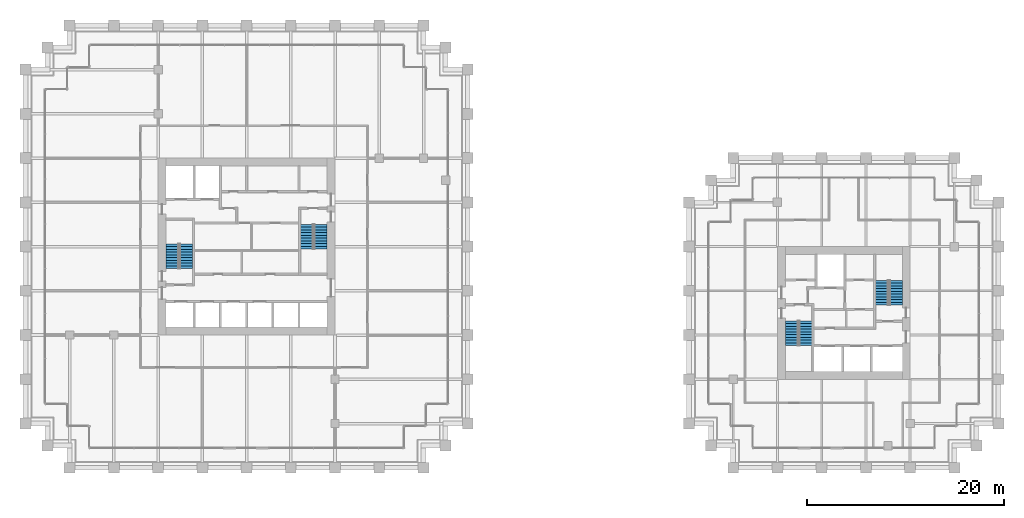
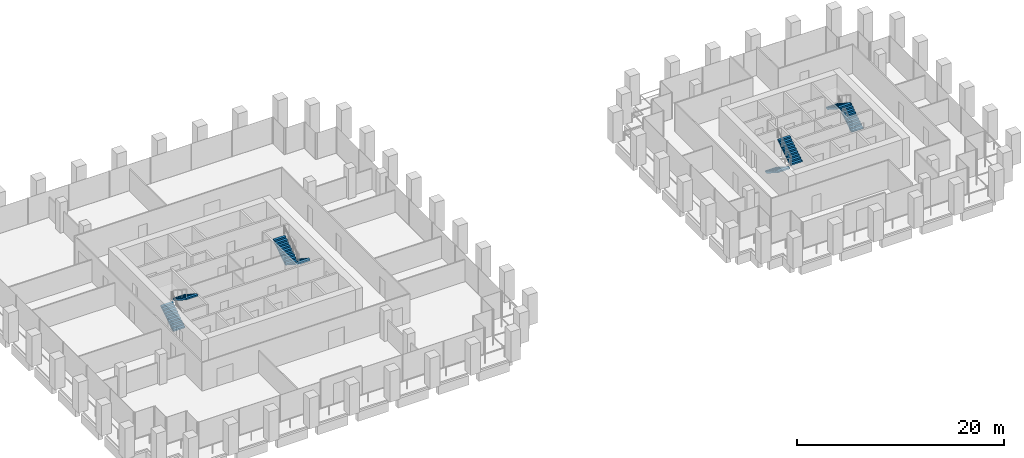
# One storey, part 54 of 56: 8 stair flights, 4 elements without a shape of their own.
"""IFC4 building model written with IfcOpenShell, lengths in metres."""

from ifc_helpers import new_model, si_unit, direction, frame, origin, place, context, subcontext, project, spatial, polyline, outline, extrude, material, type_object, element, aggregate, save


model = new_model("IFC4")

# Units and contexts
model_context = context("Model", 3, precision=1e-05, world=origin(), true_north=direction((0.0, 1.0)))
body_context = subcontext(model_context, "Body", "Model", "MODEL_VIEW")
ifc_project = project(units=[si_unit("LENGTHUNIT", "METRE"), si_unit("AREAUNIT", "SQUARE_METRE"), si_unit("VOLUMEUNIT", "CUBIC_METRE"), si_unit("PLANEANGLEUNIT", "RADIAN"), si_unit("MASSUNIT", "GRAM", prefix="KILO")], contexts=[model_context])

# Site, building, storey
site_placement = place(None, origin())
site = spatial("IfcSite", under=ifc_project, at=site_placement, CompositionType="ELEMENT")
building_placement = place(site_placement, origin())
building = spatial("IfcBuilding", under=site, at=building_placement, Name="Altepetl Exchange Towers", CompositionType="ELEMENT")
storey_placement = place(building_placement, frame((0.0, 0.0, 83.39990234375)))
storey = spatial("IfcBuildingStorey", under=building, at=storey_placement, Name="L20", CompositionType="ELEMENT", Elevation=83.39990234375)

# Stair, stair flights
ifc_material = material(Name="Concrete C40/50", Category="concrete")
stair_type = type_object("IfcStairType", Name="Exit stair 1300 flights dogleg", PredefinedType="HALF_TURN_STAIR", material=ifc_material)
stair_1_placement = place(storey_placement, origin())
stair_1 = element("IfcStair", 1, at=stair_1_placement, inside=storey, type_object=stair_type, Name="Exit stair 1", PredefinedType="HALF_TURN_STAIR")
stair_flight_type = type_object("IfcStairFlightType", Name="Stair flight 1300 wide", PredefinedType="STRAIGHT", material=ifc_material)
stair_flight_1_placement = place(storey_placement, frame((41.949951171875, 47.25, 0.0), z_axis=(0.0, 0.0, 1.0), x_axis=(0.0, 1.0, 0.0)))
stair_flight_1 = element("IfcStairFlight", 2, at=stair_flight_1_placement, type_object=stair_flight_type, Name="ST-A1c flight 1", NumberOfRisers=10, NumberOfTreads=9, PredefinedType="STRAIGHT", RiserHeight=0.18, TreadLength=0.28, context=body_context, shape_type="SweptSolid", body=[
    extrude(outline(polyline([(0.0, 0.0), (0.0, 0.179931640625), (0.280029296875, 0.179931640625), (0.280029296875, 0.360107421875), (0.56005859375, 0.360107421875), (0.56005859375, 0.5400390625), (0.840087890625, 0.5400390625), (0.840087890625, 0.719970703125), (1.1201171875, 0.719970703125), (1.1201171875, 0.89990234375), (1.39990234375, 0.89990234375), (1.39990234375, 1.080078125), (1.679931640625, 1.080078125), (1.679931640625, 1.260009765625), (1.9599609375, 1.260009765625), (1.9599609375, 1.43994140625), (2.239990234375, 1.43994140625), (2.239990234375, 1.6201171875), (2.52001953125, 1.6201171875), (2.52001953125, 1.800048828125), (2.52001953125, 1.44189453125), (0.277099609375, 0.0), (0.0, 0.0)])), frame((0.0, 0.64990234375, 0.0), z_axis=(0.0, -1.0, 0.0), x_axis=(1.0, 0.0, 0.0)), (0.0, 0.0, 1.0), 1.300048828125),
])
stair_flight_2_placement = place(storey_placement, frame((43.35009765625, 49.77001953125, 1.800048828125), z_axis=(0.0, 0.0, 1.0), x_axis=(0.0, -1.0, 0.0)))
stair_flight_2 = element("IfcStairFlight", 3, at=stair_flight_2_placement, type_object=stair_flight_type, Name="ST-A1c flight 2", NumberOfRisers=10, NumberOfTreads=9, PredefinedType="STRAIGHT", RiserHeight=0.18, TreadLength=0.28, context=body_context, shape_type="SweptSolid", body=[
    extrude(outline(polyline([(0.0, 0.0), (0.0, 0.179931640625), (0.280029296875, 0.179931640625), (0.280029296875, 0.360107421875), (0.56005859375, 0.360107421875), (0.56005859375, 0.5400390625), (0.840087890625, 0.5400390625), (0.840087890625, 0.719970703125), (1.1201171875, 0.719970703125), (1.1201171875, 0.89990234375), (1.39990234375, 0.89990234375), (1.39990234375, 1.080078125), (1.679931640625, 1.080078125), (1.679931640625, 1.260009765625), (1.9599609375, 1.260009765625), (1.9599609375, 1.43994140625), (2.239990234375, 1.43994140625), (2.239990234375, 1.6201171875), (2.52001953125, 1.6201171875), (2.52001953125, 1.800048828125), (2.52001953125, 1.44189453125), (0.277099609375, 0.0), (0.0, 0.0)])), frame((0.0, 0.64990234375, 0.0), z_axis=(0.0, -1.0, 0.0), x_axis=(1.0, 0.0, 0.0)), (0.0, 0.0, 1.0), 1.300048828125),
])
aggregate(stair_1, [stair_flight_1, stair_flight_2])

stair_2_placement = place(storey_placement, origin())
stair_2 = element("IfcStair", 4, at=stair_2_placement, inside=storey, type_object=stair_type, Name="Exit stair 2", PredefinedType="HALF_TURN_STAIR")
stair_flight_3_placement = place(storey_placement, frame((57.050048828125, 51.75, 0.0), z_axis=(0.0, 0.0, 1.0), x_axis=(0.0, -1.0, 0.0)))
stair_flight_3 = element("IfcStairFlight", 5, at=stair_flight_3_placement, type_object=stair_flight_type, Name="ST-A2c flight 1", NumberOfRisers=10, NumberOfTreads=9, PredefinedType="STRAIGHT", RiserHeight=0.18, TreadLength=0.28, context=body_context, shape_type="SweptSolid", body=[
    extrude(outline(polyline([(0.0, 0.0), (0.0, 0.179931640625), (0.280029296875, 0.179931640625), (0.280029296875, 0.360107421875), (0.56005859375, 0.360107421875), (0.56005859375, 0.5400390625), (0.840087890625, 0.5400390625), (0.840087890625, 0.719970703125), (1.1201171875, 0.719970703125), (1.1201171875, 0.89990234375), (1.39990234375, 0.89990234375), (1.39990234375, 1.080078125), (1.679931640625, 1.080078125), (1.679931640625, 1.260009765625), (1.9599609375, 1.260009765625), (1.9599609375, 1.43994140625), (2.239990234375, 1.43994140625), (2.239990234375, 1.6201171875), (2.52001953125, 1.6201171875), (2.52001953125, 1.800048828125), (2.52001953125, 1.44189453125), (0.277099609375, 0.0), (0.0, 0.0)])), frame((0.0, 0.64990234375, 0.0), z_axis=(0.0, -1.0, 0.0), x_axis=(1.0, 0.0, 0.0)), (0.0, 0.0, 1.0), 1.300048828125),
])
stair_flight_4_placement = place(storey_placement, frame((55.64990234375, 49.22998046875, 1.800048828125), z_axis=(0.0, 0.0, 1.0), x_axis=(0.0, 1.0, 0.0)))
stair_flight_4 = element("IfcStairFlight", 6, at=stair_flight_4_placement, type_object=stair_flight_type, Name="ST-A2c flight 2", NumberOfRisers=10, NumberOfTreads=9, PredefinedType="STRAIGHT", RiserHeight=0.18, TreadLength=0.28, context=body_context, shape_type="SweptSolid", body=[
    extrude(outline(polyline([(0.0, 0.0), (0.0, 0.179931640625), (0.280029296875, 0.179931640625), (0.280029296875, 0.360107421875), (0.56005859375, 0.360107421875), (0.56005859375, 0.5400390625), (0.840087890625, 0.5400390625), (0.840087890625, 0.719970703125), (1.1201171875, 0.719970703125), (1.1201171875, 0.89990234375), (1.39990234375, 0.89990234375), (1.39990234375, 1.080078125), (1.679931640625, 1.080078125), (1.679931640625, 1.260009765625), (1.9599609375, 1.260009765625), (1.9599609375, 1.43994140625), (2.239990234375, 1.43994140625), (2.239990234375, 1.6201171875), (2.52001953125, 1.6201171875), (2.52001953125, 1.800048828125), (2.52001953125, 1.44189453125), (0.277099609375, 0.0), (0.0, 0.0)])), frame((0.0, 0.64990234375, 0.0), z_axis=(0.0, -1.0, 0.0), x_axis=(1.0, 0.0, 0.0)), (0.0, 0.0, 1.0), 1.300048828125),
])
aggregate(stair_2, [stair_flight_3, stair_flight_4])

stair_3_placement = place(storey_placement, origin())
stair_3 = element("IfcStair", 7, at=stair_3_placement, inside=storey, type_object=stair_type, Name="Exit stair 1", PredefinedType="HALF_TURN_STAIR")
stair_flight_5_placement = place(storey_placement, frame((104.949951171875, 41.949951171875, 0.0), z_axis=(0.0, 0.0, 1.0), x_axis=(0.0, -1.0, 0.0)))
stair_flight_5 = element("IfcStairFlight", 8, at=stair_flight_5_placement, type_object=stair_flight_type, Name="ST-B1c flight 1", NumberOfRisers=10, NumberOfTreads=9, PredefinedType="STRAIGHT", RiserHeight=0.18, TreadLength=0.28, context=body_context, shape_type="SweptSolid", body=[
    extrude(outline(polyline([(0.0, 0.0), (0.0, 0.179931640625), (0.280029296875, 0.179931640625), (0.280029296875, 0.360107421875), (0.56005859375, 0.360107421875), (0.56005859375, 0.5400390625), (0.840087890625, 0.5400390625), (0.840087890625, 0.719970703125), (1.1201171875, 0.719970703125), (1.1201171875, 0.89990234375), (1.39990234375, 0.89990234375), (1.39990234375, 1.080078125), (1.679931640625, 1.080078125), (1.679931640625, 1.260009765625), (1.9599609375, 1.260009765625), (1.9599609375, 1.43994140625), (2.239990234375, 1.43994140625), (2.239990234375, 1.6201171875), (2.52001953125, 1.6201171875), (2.52001953125, 1.800048828125), (2.52001953125, 1.44189453125), (0.277099609375, 0.0), (0.0, 0.0)])), frame((0.0, 0.64990234375, 0.0), z_axis=(0.0, -1.0, 0.0), x_axis=(1.0, 0.0, 0.0)), (0.0, 0.0, 1.0), 1.300048828125),
])
stair_flight_6_placement = place(storey_placement, frame((106.35009765625, 39.429931640625, 1.800048828125), z_axis=(0.0, 0.0, 1.0), x_axis=(0.0, 1.0, 0.0)))
stair_flight_6 = element("IfcStairFlight", 9, at=stair_flight_6_placement, type_object=stair_flight_type, Name="ST-B1c flight 2", NumberOfRisers=10, NumberOfTreads=9, PredefinedType="STRAIGHT", RiserHeight=0.18, TreadLength=0.28, context=body_context, shape_type="SweptSolid", body=[
    extrude(outline(polyline([(0.0, 0.0), (0.0, 0.179931640625), (0.280029296875, 0.179931640625), (0.280029296875, 0.360107421875), (0.56005859375, 0.360107421875), (0.56005859375, 0.5400390625), (0.840087890625, 0.5400390625), (0.840087890625, 0.719970703125), (1.1201171875, 0.719970703125), (1.1201171875, 0.89990234375), (1.39990234375, 0.89990234375), (1.39990234375, 1.080078125), (1.679931640625, 1.080078125), (1.679931640625, 1.260009765625), (1.9599609375, 1.260009765625), (1.9599609375, 1.43994140625), (2.239990234375, 1.43994140625), (2.239990234375, 1.6201171875), (2.52001953125, 1.6201171875), (2.52001953125, 1.800048828125), (2.52001953125, 1.44189453125), (0.277099609375, 0.0), (0.0, 0.0)])), frame((0.0, 0.64990234375, 0.0), z_axis=(0.0, -1.0, 0.0), x_axis=(1.0, 0.0, 0.0)), (0.0, 0.0, 1.0), 1.300048828125),
])
aggregate(stair_3, [stair_flight_5, stair_flight_6])

stair_4_placement = place(storey_placement, origin())
stair_4 = element("IfcStair", 10, at=stair_4_placement, inside=storey, type_object=stair_type, Name="Exit stair 2", PredefinedType="HALF_TURN_STAIR")
stair_flight_7_placement = place(storey_placement, frame((115.550048828125, 43.550048828125, 0.0), z_axis=(0.0, 0.0, 1.0), x_axis=(0.0, 1.0, 0.0)))
stair_flight_7 = element("IfcStairFlight", 11, at=stair_flight_7_placement, type_object=stair_flight_type, Name="ST-B2c flight 1", NumberOfRisers=10, NumberOfTreads=9, PredefinedType="STRAIGHT", RiserHeight=0.18, TreadLength=0.28, context=body_context, shape_type="SweptSolid", body=[
    extrude(outline(polyline([(0.0, 0.0), (0.0, 0.179931640625), (0.280029296875, 0.179931640625), (0.280029296875, 0.360107421875), (0.56005859375, 0.360107421875), (0.56005859375, 0.5400390625), (0.840087890625, 0.5400390625), (0.840087890625, 0.719970703125), (1.1201171875, 0.719970703125), (1.1201171875, 0.89990234375), (1.39990234375, 0.89990234375), (1.39990234375, 1.080078125), (1.679931640625, 1.080078125), (1.679931640625, 1.260009765625), (1.9599609375, 1.260009765625), (1.9599609375, 1.43994140625), (2.239990234375, 1.43994140625), (2.239990234375, 1.6201171875), (2.52001953125, 1.6201171875), (2.52001953125, 1.800048828125), (2.52001953125, 1.44189453125), (0.277099609375, 0.0), (0.0, 0.0)])), frame((0.0, 0.64990234375, 0.0), z_axis=(0.0, -1.0, 0.0), x_axis=(1.0, 0.0, 0.0)), (0.0, 0.0, 1.0), 1.300048828125),
])
stair_flight_8_placement = place(storey_placement, frame((114.14990234375, 46.070068359375, 1.800048828125), z_axis=(0.0, 0.0, 1.0), x_axis=(0.0, -1.0, 0.0)))
stair_flight_8 = element("IfcStairFlight", 12, at=stair_flight_8_placement, type_object=stair_flight_type, Name="ST-B2c flight 2", NumberOfRisers=10, NumberOfTreads=9, PredefinedType="STRAIGHT", RiserHeight=0.18, TreadLength=0.28, context=body_context, shape_type="SweptSolid", body=[
    extrude(outline(polyline([(0.0, 0.0), (0.0, 0.179931640625), (0.280029296875, 0.179931640625), (0.280029296875, 0.360107421875), (0.56005859375, 0.360107421875), (0.56005859375, 0.5400390625), (0.840087890625, 0.5400390625), (0.840087890625, 0.719970703125), (1.1201171875, 0.719970703125), (1.1201171875, 0.89990234375), (1.39990234375, 0.89990234375), (1.39990234375, 1.080078125), (1.679931640625, 1.080078125), (1.679931640625, 1.260009765625), (1.9599609375, 1.260009765625), (1.9599609375, 1.43994140625), (2.239990234375, 1.43994140625), (2.239990234375, 1.6201171875), (2.52001953125, 1.6201171875), (2.52001953125, 1.800048828125), (2.52001953125, 1.44189453125), (0.277099609375, 0.0), (0.0, 0.0)])), frame((0.0, 0.64990234375, 0.0), z_axis=(0.0, -1.0, 0.0), x_axis=(1.0, 0.0, 0.0)), (0.0, 0.0, 1.0), 1.300048828125),
])
aggregate(stair_4, [stair_flight_7, stair_flight_8])

save(model, "model.ifc")
